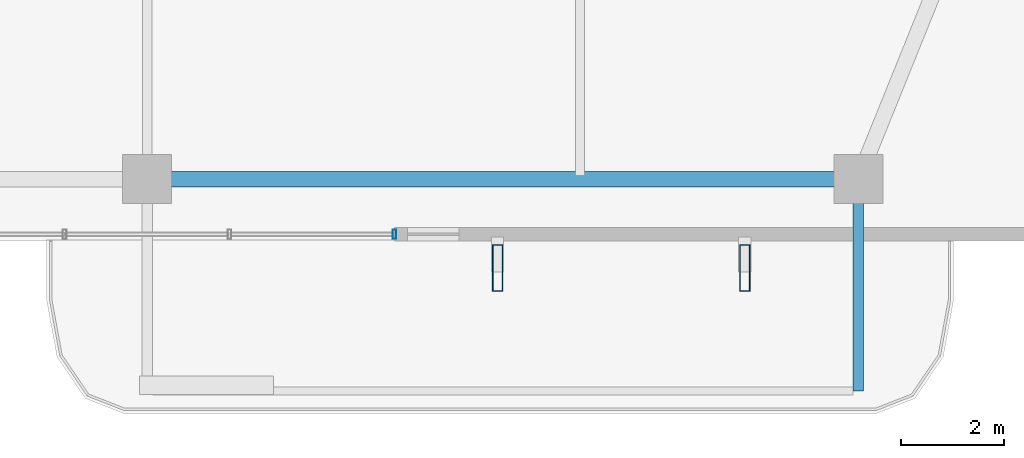
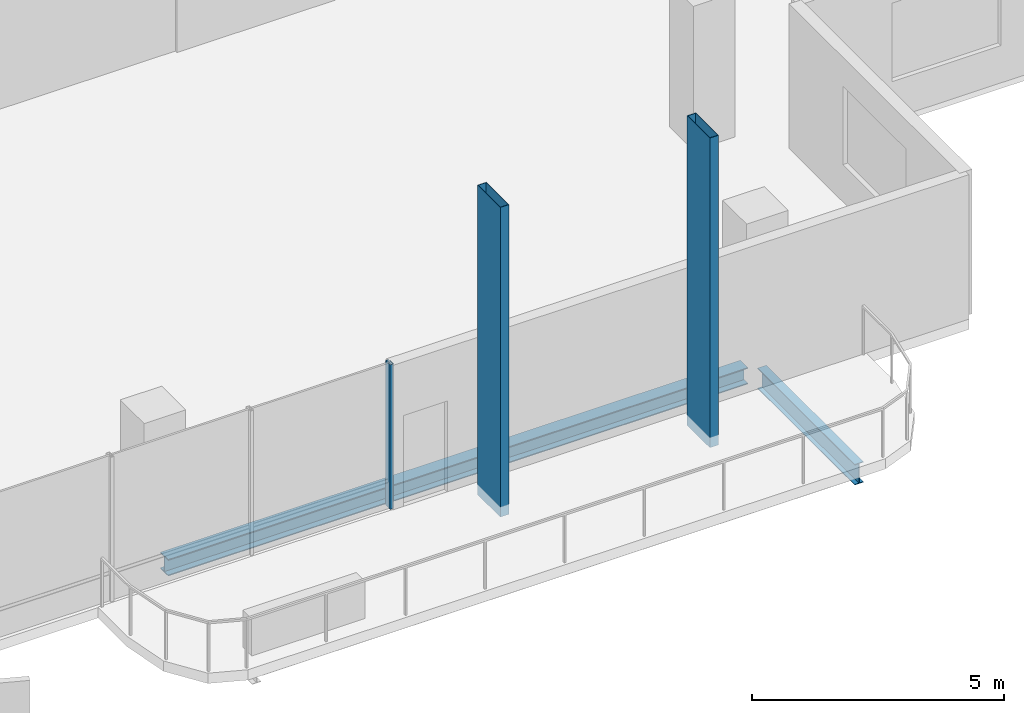
# One storey, part 8 of 25: 3 members, 2 beams, 1 element without a shape of its own.
"""IFC4 building model written with IfcOpenShell, lengths in metres."""

import ifcopenshell
import ifcopenshell.guid

model = None  # the IFC model being written
_history = None  # IfcOwnerHistory: only IFC2X3 demands one
_inside = {}  # id of a spatial element -> (the spatial element, [elements in it])
_under = {}  # id of a project, library or spatial element -> (it, [spatial elements below it])
_declared = {}  # id of a project -> (the project, [libraries it declares])
_typed = {}  # id of a type object -> (the type object, [elements of that type])
_made_of = {}  # id of a material, layer set ... -> (it, [elements and type objects made of it])


def new_model(schema):
    """Start an empty IFC model of exactly this schema.

    Asked for "IFC4X3", IfcOpenShell would pick the latest addendum, in which some entities
    have other attributes; the version numbers below select the first issue.
    IFC2X3 requires an IfcOwnerHistory on every rooted entity: one is made here for all.
    """
    global model, _history
    if schema == "IFC4X3":
        model = ifcopenshell.file(schema_version=(4, 3, 0, 0))
    else:
        model = ifcopenshell.file(schema=schema)
    _inside.clear()
    _under.clear()
    _declared.clear()
    _typed.clear()
    _made_of.clear()
    _history = None
    if model.schema == "IFC2X3":
        org = make("IfcOrganization", Name="unknown")
        user = make(
            "IfcPersonAndOrganization",
            ThePerson=make("IfcPerson", FamilyName="unknown"),
            TheOrganization=org,
        )
        app = make(
            "IfcApplication",
            ApplicationDeveloper=org,
            Version="unknown",
            ApplicationFullName="unknown",
            ApplicationIdentifier="unknown",
        )
        _history = make(
            "IfcOwnerHistory",
            OwningUser=user,
            OwningApplication=app,
            ChangeAction="ADDED",
            CreationDate=0,
        )
    return model


def make(cls, **values):
    """One entity of the class cls with the attributes given. An attribute that is None is left unset."""
    return model.create_entity(
        cls, **{name: value for name, value in values.items() if value is not None}
    )


def rooted(cls, **values):
    """An entity with a GlobalId (a new one), such as an element, a storey or a relation."""
    return make(cls, GlobalId=ifcopenshell.guid.new(), OwnerHistory=_history, **values)


def si_unit(unit_type, name, prefix=None):
    """IfcSIUnit, for example si_unit("LENGTHUNIT", "METRE", prefix="MILLI")."""
    return make("IfcSIUnit", UnitType=unit_type, Prefix=prefix, Name=name)


def assignment(units):
    """IfcUnitAssignment: the units of a project."""
    return None if units is None else make("IfcUnitAssignment", Units=units)


def point(xyz):
    """IfcCartesianPoint."""
    return None if xyz is None else make("IfcCartesianPoint", Coordinates=xyz)


def direction(xyz):
    """IfcDirection."""
    return None if xyz is None else make("IfcDirection", DirectionRatios=xyz)


def frame(location, z_axis=None, x_axis=None):
    """IfcAxis2Placement3D, a coordinate frame: its origin and axes. An axis left out is left unset."""
    return make(
        "IfcAxis2Placement3D",
        Location=point(location),
        Axis=direction(z_axis),
        RefDirection=direction(x_axis),
    )


def frame_2d(location, x_axis=None):
    """IfcAxis2Placement2D, a coordinate frame in the plane: its origin and x axis."""
    return make(
        "IfcAxis2Placement2D", Location=point(location), RefDirection=direction(x_axis)
    )


def origin():
    """The frame at (0, 0, 0) with its axes left unset."""
    return frame((0.0, 0.0, 0.0))


def origin_2d():
    """The frame at (0, 0) in the plane with its x axis left unset."""
    return frame_2d((0.0, 0.0))


def place(relative_to, where):
    """IfcLocalPlacement: puts the frame where relative to a parent placement (None: the world)."""
    return make(
        "IfcLocalPlacement", PlacementRelTo=relative_to, RelativePlacement=where
    )


def context(
    kind, dimensions, precision=None, world=None, true_north=None, identifier=None
):
    """IfcGeometricRepresentationContext, for example the 3D "Model" context."""
    return make(
        "IfcGeometricRepresentationContext",
        ContextIdentifier=identifier,
        ContextType=kind,
        CoordinateSpaceDimension=dimensions,
        Precision=precision,
        WorldCoordinateSystem=world,
        TrueNorth=true_north,
    )


def subcontext(parent, identifier, kind, view, scale=None):
    """IfcGeometricRepresentationSubContext, for example "Body" below "Model"."""
    return make(
        "IfcGeometricRepresentationSubContext",
        ContextIdentifier=identifier,
        ContextType=kind,
        ParentContext=parent,
        TargetScale=scale,
        TargetView=view,
    )


def project(units=None, contexts=None):
    """IfcProject with its units and contexts."""
    return rooted(
        "IfcProject",
        Name="project",
        RepresentationContexts=contexts,
        UnitsInContext=assignment(units),
    )


def spatial(cls, under=None, at=None, **own):
    """A site, building, storey or space (cls), placed at a placement, below another one or the project."""
    s = rooted(cls, ObjectPlacement=at, **own)
    if under is not None:
        _under.setdefault(under.id(), (under, []))[1].append(s)
    return s


def profile(cls, at=None, kind="AREA", **sizes):
    """A parametric profile (cls). Its sizes go by their IFC names, for example OverallWidth=200.0."""
    return make(cls, ProfileType=kind, Position=at, **sizes)


def hollow_rectangle(**sizes):
    """IfcRectangleHollowProfileDef."""
    return profile("IfcRectangleHollowProfileDef", **sizes)


def i_section(**sizes):
    """IfcIShapeProfileDef."""
    return profile("IfcIShapeProfileDef", **sizes)


def extrude(swept, where, along, depth):
    """IfcExtrudedAreaSolid: the profile swept, set in the frame where, extruded along a direction by depth."""
    return make(
        "IfcExtrudedAreaSolid",
        SweptArea=swept,
        Position=where,
        ExtrudedDirection=direction(along),
        Depth=depth,
    )


def shape(context_of_items, identifier, shape_type, items):
    """IfcShapeRepresentation: the items that make up one representation, for example the "Body"."""
    return make(
        "IfcShapeRepresentation",
        ContextOfItems=context_of_items,
        RepresentationIdentifier=identifier,
        RepresentationType=shape_type,
        Items=items,
    )


def material(Name=None, Category=None):
    """IfcMaterial."""
    return make("IfcMaterial", Name=Name, Category=Category)


def layer(
    of_material, thickness, ventilated=None, Name=None, Category=None, Priority=None
):
    """IfcMaterialLayer: one layer of a wall or slab, of a material (None: an air gap)."""
    return make(
        "IfcMaterialLayer",
        Material=of_material,
        LayerThickness=thickness,
        IsVentilated=ventilated,
        Name=Name,
        Category=Category,
        Priority=Priority,
    )


def layer_set(layers, Name=None):
    """IfcMaterialLayerSet."""
    return make("IfcMaterialLayerSet", MaterialLayers=layers, LayerSetName=Name)


def material_profile(
    of_material, cross_section, Name=None, Category=None, Priority=None
):
    """IfcMaterialProfile: a cross section and its material."""
    return make(
        "IfcMaterialProfile",
        Name=Name,
        Material=of_material,
        Profile=cross_section,
        Priority=Priority,
        Category=Category,
    )


def profile_set(profiles, Name=None, composite=None):
    """IfcMaterialProfileSet."""
    return make(
        "IfcMaterialProfileSet",
        Name=Name,
        MaterialProfiles=profiles,
        CompositeProfile=composite,
    )


def made_of(thing, what):
    """Note that an element or type object is made of a material, layer set ...; save() writes the relation."""
    if what is not None:
        _made_of.setdefault(what.id(), (what, []))[1].append(thing)
    return thing


def type_object(cls, material=None, **own):
    """A type object (cls), such as IfcWallType, which elements share."""
    return made_of(rooted(cls, **own), material)


def element(
    cls,
    number,
    at=None,
    inside=None,
    cuts=None,
    type_object=None,
    material=None,
    context=None,
    identifier="Body",
    shape_type=None,
    held_by="IfcProductDefinitionShape",
    body=None,
    shapes=None,
    **own,
):
    """One element of the class cls, such as IfcWall. Its Tag is "e" and its number.

    at: its placement. inside: the storey or other place that contains it. cuts: it is an
    opening in that element (IfcRelVoidsElement). A single representation is given by context,
    identifier, shape_type and body (its items); several are given by shapes. held_by: the class
    of the entity that holds the representations. save() writes the other relations.
    """
    e = rooted(cls, Tag="e%d" % number, ObjectPlacement=at, **own)
    if body is not None:
        shapes = [shape(context, identifier, shape_type, body)]
    if shapes is not None:
        e.Representation = make(held_by, Representations=shapes)
    if inside is not None:
        _inside.setdefault(inside.id(), (inside, []))[1].append(e)
    if cuts is not None:
        rooted(
            "IfcRelVoidsElement", RelatingBuildingElement=cuts, RelatedOpeningElement=e
        )
    if type_object is not None:
        _typed.setdefault(type_object.id(), (type_object, []))[1].append(e)
    return made_of(e, material)


def aggregate(whole, parts):
    """IfcRelAggregates: a whole, such as a stair, and the parts it consists of."""
    return rooted("IfcRelAggregates", RelatingObject=whole, RelatedObjects=parts)


def save(model, path):
    """Write the relations noted so far, then the file.

    IfcRelAggregates (storeys below a building ...), IfcRelContainedInSpatialStructure (elements
    in a storey), IfcRelDefinesByType, IfcRelAssociatesMaterial and IfcRelDeclares: one each for
    every whole, place, type object, material and project.
    """
    for whole, parts in _under.values():
        aggregate(whole, parts)
    for where, things in _inside.values():
        rooted(
            "IfcRelContainedInSpatialStructure",
            RelatedElements=things,
            RelatingStructure=where,
        )
    for kind, things in _typed.values():
        rooted("IfcRelDefinesByType", RelatedObjects=things, RelatingType=kind)
    for what, things in _made_of.values():
        rooted("IfcRelAssociatesMaterial", RelatedObjects=things, RelatingMaterial=what)
    for by, libraries in _declared.values():
        rooted("IfcRelDeclares", RelatingContext=by, RelatedDefinitions=libraries)
    model.write(path)


model = new_model("IFC4")

# Units and contexts
model_context = context("Model", 3, precision=1e-05, world=origin(), true_north=direction((0.0, 1.0)))
body_context = subcontext(model_context, "Body", "Model", "MODEL_VIEW")
ifc_project = project(units=[si_unit("LENGTHUNIT", "METRE"), si_unit("AREAUNIT", "SQUARE_METRE"), si_unit("VOLUMEUNIT", "CUBIC_METRE"), si_unit("PLANEANGLEUNIT", "RADIAN"), si_unit("MASSUNIT", "GRAM", prefix="KILO")], contexts=[model_context])

# Site, building, storey
site_placement = place(None, origin())
site = spatial("IfcSite", under=ifc_project, at=site_placement, CompositionType="ELEMENT")
building_placement = place(site_placement, origin())
building = spatial("IfcBuilding", under=site, at=building_placement, Name="Belovzor Exchange Tower", CompositionType="ELEMENT")
storey_placement = place(building_placement, frame((0.0, 0.0, 272.85009765625)))
storey = spatial("IfcBuildingStorey", under=building, at=storey_placement, Name="L68", CompositionType="ELEMENT", Elevation=272.85009765625)

# Beam
ifc_material_1 = material(Name="Steel S355", Category="steel")
ifc_material_profile_1 = material_profile(ifc_material_1, i_section(OverallWidth=0.199951171875, OverallDepth=0.5, WebThickness=0.01025390625, FlangeThickness=0.01611328125, at=origin_2d()))
ifc_profile_set_1 = profile_set([ifc_material_profile_1], Name="Steel S355")
beam_type_1 = type_object("IfcBeamType", Name="Planted Balcony Cantilever Beam IPE 500", PredefinedType="BEAM", material=ifc_profile_set_1)
beam_1_placement = place(storey_placement, frame((42.60009765625, 4.839111328125, -0.5), z_axis=(0.0, -1.0, 0.0), x_axis=(1.0, 0.0, 0.0)))
element("IfcBeam", 1, at=beam_1_placement, inside=storey, type_object=beam_type_1, Name="BC-500 Planted Balcony Cantilever Beam IPE 500", PredefinedType="BEAM", context=body_context, shape_type="SweptSolid", body=[
    extrude(i_section(OverallWidth=0.199951171875, OverallDepth=0.5, WebThickness=0.01025390625, FlangeThickness=0.01611328125, at=origin_2d()), origin(), (0.0, 0.0, 1.0), 3.85009765625),
])

# Members
ifc_material_2 = material(Name="Extruded Architectural Terracotta on Steel S355 Carrier", Category="masonry")
ifc_material_profile_2 = material_profile(ifc_material_2, hollow_rectangle(XDim=0.199951171875, YDim=0.89990234375, WallThickness=0.011962890625, at=origin_2d()))
ifc_profile_set_2 = profile_set([ifc_material_profile_2], Name="Extruded Architectural Terracotta on Steel S355 Carrier")
member_type_1 = type_object("IfcMemberType", Name="Sweeping Terracotta Baguette Fin Assembly 950", PredefinedType="USERDEFINED", material=ifc_profile_set_2)
for number, where, z_axis, x_axis, name in (
    (2, (35.60009765625, 3.375, -0.25), (0.0, 0.0, 1.0), (1.0, 0.0, 0.0), "FIN-TC095 Terracotta Facade Fin L68 S3"),
    (3, (40.39990234375, 3.375, -0.25), (0.0, 0.0, 1.0), (1.0, 0.0, 0.0), "FIN-TC095 Terracotta Facade Fin L68 S4"),
):
    element("IfcMember", number, at=place(storey_placement, frame(where, z_axis=z_axis, x_axis=x_axis)), inside=storey, type_object=member_type_1, Name=name, ObjectType="FIN", PredefinedType="USERDEFINED", context=body_context, shape_type="SweptSolid", body=[
        extrude(hollow_rectangle(XDim=0.199951171875, YDim=0.89990234375, WallThickness=0.011962890625, at=origin_2d()), origin(), (0.0, 0.0, 1.0), 7.5),
    ])

# Curtain wall, member
ifc_material_3 = material(Name="Anodised Aluminium Framing", Category="aluminium")
ifc_layer = layer(ifc_material_3, 0.179931640625)
ifc_layer_set = layer_set([ifc_layer], Name="Anodised Aluminium Framing")
curtain_wall_type = type_object("IfcCurtainWallType", Name="Recessed Loggia Low-Iron Triple-Glazed Curtain Wall", PredefinedType="NOTDEFINED", material=ifc_layer_set)
curtain_wall_placement = place(storey_placement, origin())
curtain_wall = element("IfcCurtainWall", 4, at=curtain_wall_placement, inside=storey, type_object=curtain_wall_type, Name="CW3 Recessed Loggia Low-Iron Triple-Glazed Curtain Wall L68", PredefinedType="NOTDEFINED")
ifc_material_4 = material(Name="Steel S355", Category="steel")
ifc_material_profile_3 = material_profile(ifc_material_4, hollow_rectangle(XDim=0.074951171875, YDim=0.179931640625, WallThickness=0.0048828125, at=origin_2d()))
ifc_profile_set_3 = profile_set([ifc_material_profile_3], Name="Steel S355")
member_type_2 = type_object("IfcMemberType", Name="Thermally Broken Curtain Wall Mullion 180x75", PredefinedType="MULLION", material=ifc_profile_set_3)
member_placement = place(storey_placement, frame((33.60009765625, 4.030029296875, 0.0), z_axis=(0.0, 0.0, 1.0), x_axis=(-1.0, 0.0, 0.0)))
member = element("IfcMember", 5, at=member_placement, type_object=member_type_2, Name="CW-M180 Curtain Wall Mullion 1", PredefinedType="MULLION", context=body_context, shape_type="SweptSolid", body=[
    extrude(hollow_rectangle(XDim=0.074951171875, YDim=0.179931640625, WallThickness=0.0048828125, at=origin_2d()), origin(), (0.0, 0.0, 1.0), 3.5),
])
aggregate(curtain_wall, [member])

# Beam
ifc_material_5 = material(Name="Steel S355", Category="steel")
ifc_material_profile_4 = material_profile(ifc_material_5, i_section(OverallWidth=0.300048828125, OverallDepth=0.39990234375, WebThickness=0.013427734375, FlangeThickness=0.02392578125, at=origin_2d()))
ifc_profile_set_4 = profile_set([ifc_material_profile_4], Name="Steel S355")
beam_type_2 = type_object("IfcBeamType", Name="Zone 5 Primary Girder HEB 400", PredefinedType="BEAM", material=ifc_profile_set_4)
beam_2_placement = place(storey_placement, frame((29.06103515625, 5.10009765625, -0.4501953125), z_axis=(1.0, 0.0, 0.0), x_axis=(0.0, 1.0, 0.0)))
element("IfcBeam", 6, at=beam_2_placement, inside=storey, type_object=beam_type_2, Name="FG-Z5 Zone 5 Primary Girder HEB 400", PredefinedType="BEAM", context=body_context, shape_type="SweptSolid", body=[
    extrude(i_section(OverallWidth=0.300048828125, OverallDepth=0.39990234375, WebThickness=0.013427734375, FlangeThickness=0.02392578125, at=origin_2d()), origin(), (0.0, 0.0, 1.0), 13.278076171875),
])

save(model, "model.ifc")
